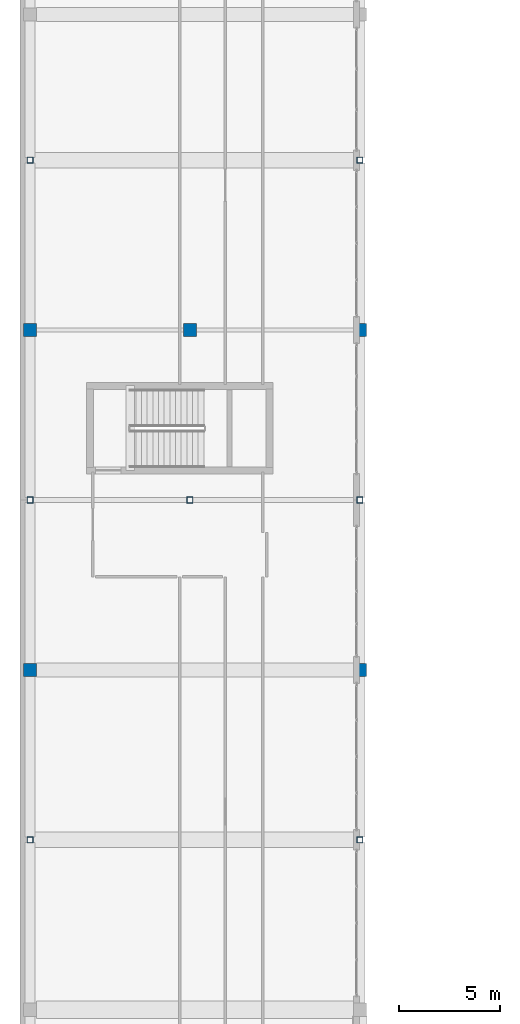
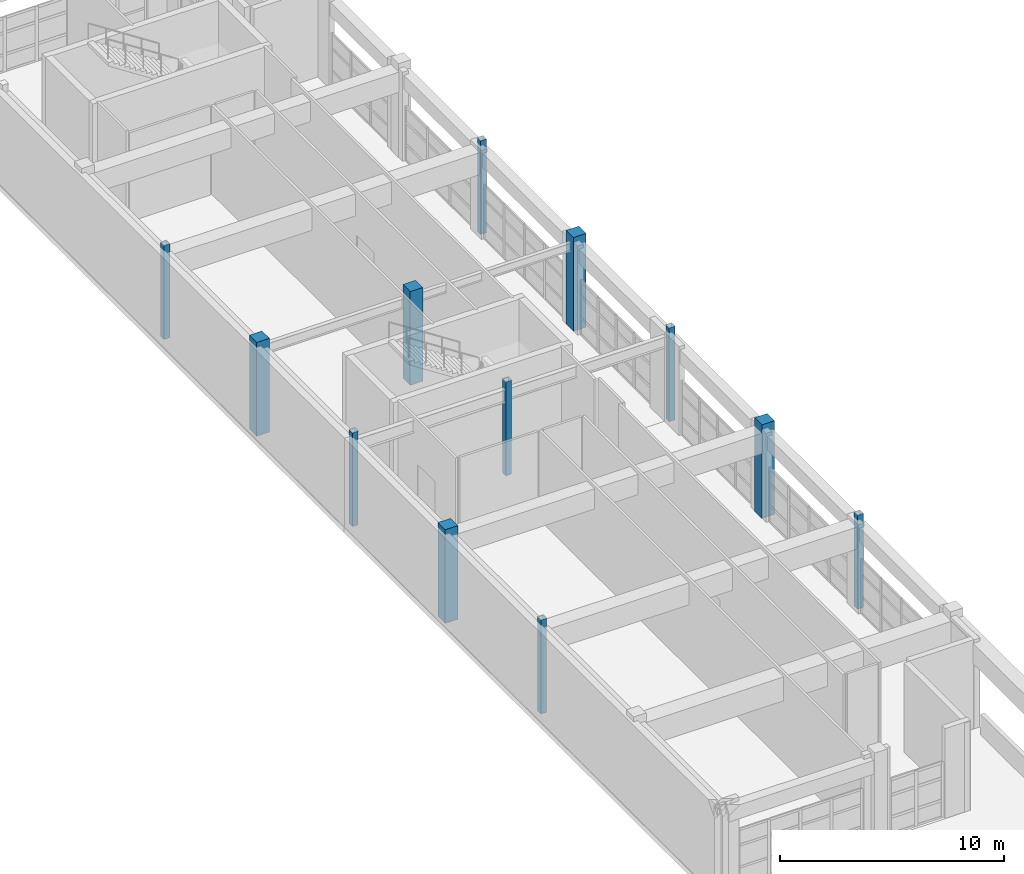
# One storey, part 3 of 78: 12 columns.
"""IFC4 building model written with IfcOpenShell, lengths in metres."""

from ifc_helpers import new_model, si_unit, direction, frame, origin, origin_2d, place, context, subcontext, project, spatial, rectangle, hollow_rectangle, extrude, material, material_profile, profile_set, type_object, element, save


model = new_model("IFC4")

# Units and contexts
model_context = context("Model", 3, precision=1e-05, world=origin(), true_north=direction((0.0, 1.0)))
body_context = subcontext(model_context, "Body", "Model", "MODEL_VIEW")
ifc_project = project(units=[si_unit("LENGTHUNIT", "METRE"), si_unit("AREAUNIT", "SQUARE_METRE"), si_unit("VOLUMEUNIT", "CUBIC_METRE"), si_unit("PLANEANGLEUNIT", "RADIAN"), si_unit("MASSUNIT", "GRAM", prefix="KILO")], contexts=[model_context])

# Site, building, storey
site_placement = place(None, origin())
site = spatial("IfcSite", under=ifc_project, at=site_placement, CompositionType="ELEMENT")
building_placement = place(site_placement, origin())
building = spatial("IfcBuilding", under=site, at=building_placement, Name="Quendrovan Civic Courthouse", CompositionType="ELEMENT")
storey_placement = place(building_placement, frame((0.0, 0.0, 20.39990234375)))
storey = spatial("IfcBuildingStorey", under=building, at=storey_placement, Name="L05", CompositionType="ELEMENT", Elevation=20.39990234375)

# Columns
ifc_material_1 = material(Name="Concrete C45/55", Category="concrete")
ifc_material_profile_1 = material_profile(ifc_material_1, rectangle(XDim=0.64990234375, YDim=0.64990234375, at=origin_2d()), Name="RC-COL-650x650")
ifc_profile_set_1 = profile_set([ifc_material_profile_1], Name="Concrete C45/55")
column_type_1 = type_object("IfcColumnType", Name="COL-RC650", PredefinedType="COLUMN", material=ifc_profile_set_1)
for number, where, z_axis, x_axis, name in (
    (1, (0.5, 48.0, 0.0), (0.0, 0.0, 1.0), (1.0, 0.0, 0.0), "L05 Column 1-G"),
    (2, (0.5, 64.800048828125, 0.0), (0.0, 0.0, 1.0), (1.0, 0.0, 0.0), "L05 Column 1-J"),
    (3, (8.39990234375, 64.800048828125, 0.0), (0.0, 0.0, 1.0), (1.0, 0.0, 0.0), "L05 Column 2-J"),
    (4, (16.800048828125, 48.0, 0.0), (0.0, 0.0, 1.0), (1.0, 0.0, 0.0), "L05 Column 3-G"),
    (5, (16.800048828125, 64.800048828125, 0.0), (0.0, 0.0, 1.0), (1.0, 0.0, 0.0), "L05 Column 3-J"),
):
    element("IfcColumn", number, at=place(storey_placement, frame(where, z_axis=z_axis, x_axis=x_axis)), inside=storey, type_object=column_type_1, Name=name, PredefinedType="COLUMN", context=body_context, shape_type="SweptSolid", body=[
        extrude(rectangle(XDim=0.64990234375, YDim=0.64990234375, at=origin_2d()), origin(), (0.0, 0.0, 1.0), 5.10009765625),
    ])
ifc_material_2 = material(Name="Steel ASTM A500 Grade C", Category="steel")
ifc_material_profile_2 = material_profile(ifc_material_2, hollow_rectangle(XDim=0.300048828125, YDim=0.300048828125, WallThickness=0.011962890625, at=origin_2d()), Name="HSS300x300x12")
ifc_profile_set_2 = profile_set([ifc_material_profile_2], Name="Steel ASTM A500 Grade C")
column_type_2 = type_object("IfcColumnType", Name="COL-STL-HSS300S", PredefinedType="COLUMN", material=ifc_profile_set_2)
for number, where, z_axis, x_axis, name in (
    (6, (0.5, 39.60009765625, 0.0), (0.0, 0.0, 1.0), (1.0, 0.0, 0.0), "L05 Column 1-F"),
    (7, (0.5, 56.39990234375, 0.0), (0.0, 0.0, 1.0), (1.0, 0.0, 0.0), "L05 Column 1-H"),
    (8, (0.5, 73.199951171875, 0.0), (0.0, 0.0, 1.0), (1.0, 0.0, 0.0), "L05 Column 1-K"),
    (9, (8.39990234375, 56.39990234375, 0.0), (0.0, 0.0, 1.0), (1.0, 0.0, 0.0), "L05 Column 2-H"),
    (10, (16.800048828125, 39.60009765625, 0.0), (0.0, 0.0, 1.0), (1.0, 0.0, 0.0), "L05 Column 3-F"),
    (11, (16.800048828125, 56.39990234375, 0.0), (0.0, 0.0, 1.0), (1.0, 0.0, 0.0), "L05 Column 3-H"),
    (12, (16.800048828125, 73.199951171875, 0.0), (0.0, 0.0, 1.0), (1.0, 0.0, 0.0), "L05 Column 3-K"),
):
    element("IfcColumn", number, at=place(storey_placement, frame(where, z_axis=z_axis, x_axis=x_axis)), inside=storey, type_object=column_type_2, Name=name, PredefinedType="COLUMN", context=body_context, shape_type="SweptSolid", body=[
        extrude(hollow_rectangle(XDim=0.300048828125, YDim=0.300048828125, WallThickness=0.011962890625, at=origin_2d()), origin(), (0.0, 0.0, 1.0), 5.10009765625),
    ])

save(model, "model.ifc")
